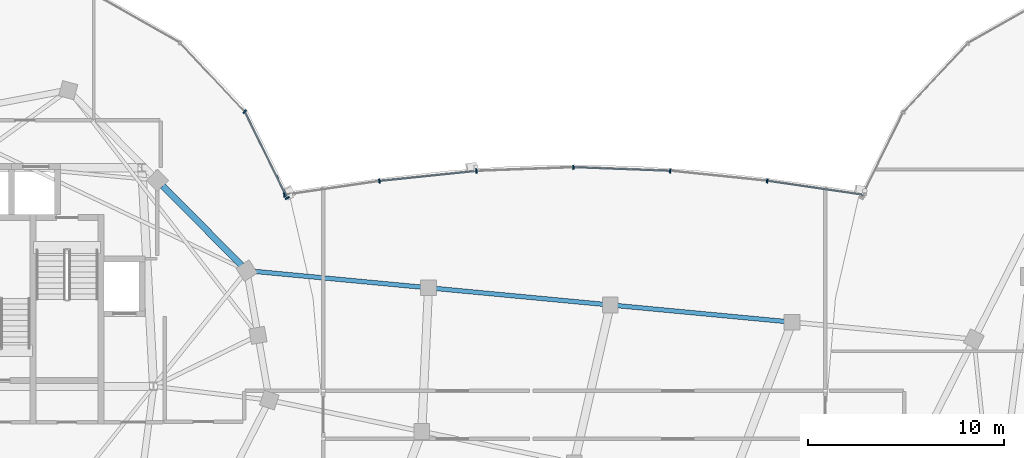
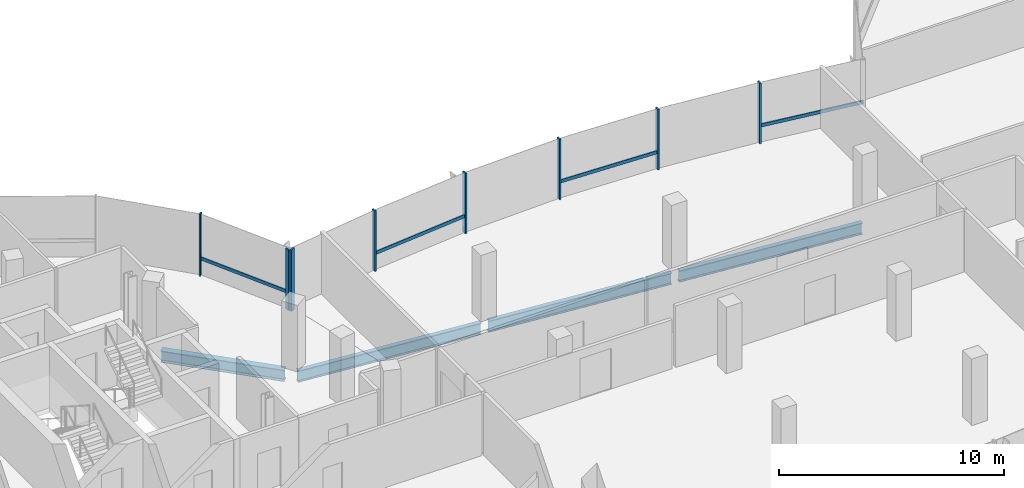
# One storey, part 7 of 26: 12 members, 4 beams, 2 elements without a shape of their own.
"""IFC4 building model written with IfcOpenShell, lengths in metres."""

from ifc_helpers import new_model, si_unit, direction, frame, origin, origin_2d, place, context, subcontext, project, spatial, rectangle, i_section, extrude, material, material_profile, profile_set, type_object, element, aggregate, save


model = new_model("IFC4")

# Units and contexts
model_context = context("Model", 3, precision=1e-05, world=origin(), true_north=direction((0.0, 1.0)))
body_context = subcontext(model_context, "Body", "Model", "MODEL_VIEW")
ifc_project = project(units=[si_unit("LENGTHUNIT", "METRE"), si_unit("AREAUNIT", "SQUARE_METRE"), si_unit("VOLUMEUNIT", "CUBIC_METRE"), si_unit("PLANEANGLEUNIT", "RADIAN"), si_unit("MASSUNIT", "GRAM", prefix="KILO"), si_unit("THERMODYNAMICTEMPERATUREUNIT", "KELVIN"), si_unit("POWERUNIT", "WATT")], contexts=[model_context])

# Site, building, storey
site_placement = place(None, origin())
site = spatial("IfcSite", under=ifc_project, at=site_placement, CompositionType="ELEMENT")
building_placement = place(site_placement, origin())
building = spatial("IfcBuilding", under=site, at=building_placement, Name="Cundina Bronze Exchange", CompositionType="ELEMENT")
storey_placement = place(building_placement, frame((0.0, 0.0, 261.199951171875)))
storey = spatial("IfcBuildingStorey", under=building, at=storey_placement, Name="L69", CompositionType="ELEMENT", Elevation=261.199951171875)

# Beams
ifc_material_1 = material(Name="Steel ASTM A992 Grade 50", Category="steel")
ifc_material_profile_1 = material_profile(ifc_material_1, i_section(OverallWidth=0.22998046875, OverallDepth=0.616943359375, WebThickness=0.01318359375, FlangeThickness=0.022216796875, FilletRadius=0.013916015625, at=origin_2d()), Name="W24X94", Category="steel")
ifc_profile_set_1 = profile_set([ifc_material_profile_1], Name="Steel ASTM A992 Grade 50")
beam_type_1 = type_object("IfcBeamType", Name="BM-FLR-W24B", PredefinedType="BEAM", material=ifc_profile_set_1)
beam_1_placement = place(storey_placement, frame((-16.520751953125, 9.783203125, -0.62841796875), z_axis=(0.995572136276, -0.094000646124, 0.0), x_axis=(0.094000646124, 0.995572136276, 0.0)))
element("IfcBeam", 1, at=beam_1_placement, inside=storey, type_object=beam_type_1, Name="L69 Sky-Gate Longitudinal Girder Y3-P1", PredefinedType="BEAM", context=body_context, shape_type="SweptSolid", body=[
    extrude(i_section(OverallWidth=0.22998046875, OverallDepth=0.616943359375, WebThickness=0.01318359375, FlangeThickness=0.022216796875, FilletRadius=0.013916015625, at=origin_2d()), origin(), (0.0, 0.0, 1.0), 8.949951171875),
])
beam_2_placement = place(storey_placement, frame((-7.251953125, 8.908203125, -0.62841796875), z_axis=(0.995571895232, -0.094003199007, 0.0), x_axis=(0.094003199007, 0.995571895232, 0.0)))
element("IfcBeam", 2, at=beam_2_placement, inside=storey, type_object=beam_type_1, Name="L69 Sky-Gate Longitudinal Girder Y3-P2", PredefinedType="BEAM", context=body_context, shape_type="SweptSolid", body=[
    extrude(i_section(OverallWidth=0.22998046875, OverallDepth=0.616943359375, WebThickness=0.01318359375, FlangeThickness=0.022216796875, FilletRadius=0.013916015625, at=origin_2d()), origin(), (0.0, 0.0, 1.0), 8.94970703125),
])
beam_3_placement = place(storey_placement, frame((2.0166015625, 8.033203125, -0.62841796875), z_axis=(0.995572136276, -0.094000646124, 0.0), x_axis=(0.094000646124, 0.995572136276, 0.0)))
element("IfcBeam", 3, at=beam_3_placement, inside=storey, type_object=beam_type_1, Name="L69 Sky-Gate Longitudinal Girder Y3-P3", PredefinedType="BEAM", context=body_context, shape_type="SweptSolid", body=[
    extrude(i_section(OverallWidth=0.22998046875, OverallDepth=0.616943359375, WebThickness=0.01318359375, FlangeThickness=0.022216796875, FilletRadius=0.013916015625, at=origin_2d()), origin(), (0.0, 0.0, 1.0), 8.949951171875),
])
ifc_material_profile_2 = material_profile(ifc_material_1, i_section(OverallWidth=0.324951171875, OverallDepth=0.615966796875, WebThickness=0.013916015625, FlangeThickness=0.021484375, FilletRadius=0.01611328125, at=origin_2d()), Name="W24X117", Category="steel")
ifc_profile_set_2 = profile_set([ifc_material_profile_2], Name="Steel ASTM A992 Grade 50")
beam_type_2 = type_object("IfcBeamType", Name="BM-RING-W24", PredefinedType="USERDEFINED", material=ifc_profile_set_2)
beam_4_placement = place(storey_placement, frame((-16.972900390625, 10.075927734375, -0.56787109375), z_axis=(-0.703237257446, 0.710955244541, 0.0), x_axis=(-0.710955244541, -0.703237257446, 0.0)))
element("IfcBeam", 4, at=beam_4_placement, inside=storey, type_object=beam_type_2, Name="L69 W Perimeter Ring Girder 02", ObjectType="GIRDER", PredefinedType="USERDEFINED", context=body_context, shape_type="SweptSolid", body=[
    extrude(i_section(OverallWidth=0.324951171875, OverallDepth=0.615966796875, WebThickness=0.013916015625, FlangeThickness=0.021484375, FilletRadius=0.01611328125, at=origin_2d()), origin(), (0.0, 0.0, 1.0), 5.69384765625),
])

# Curtain wall, members
ifc_material_2 = material(Name="Anodised Bronze Aluminium 6063-T6", Category="aluminium")
curtain_wall_type = type_object("IfcCurtainWallType", Name="CWS-SKG-BRG", PredefinedType="NOTDEFINED", material=ifc_material_2)
curtain_wall_1_placement = place(storey_placement, origin())
curtain_wall_1 = element("IfcCurtainWall", 5, at=curtain_wall_1_placement, inside=storey, type_object=curtain_wall_type, Name="L69 CW-06 Curtain Wall Run CWR-L69-W1", PredefinedType="NOTDEFINED")
ifc_material_profile_3 = material_profile(ifc_material_2, rectangle(XDim=0.074951171875, YDim=0.219970703125, at=origin_2d()), Name="AL75X220", Category="aluminium")
ifc_profile_set_3 = profile_set([ifc_material_profile_3], Name="Anodised Bronze Aluminium 6063-T6")
member_type_1 = type_object("IfcMemberType", Name="CWM-MUL-220", PredefinedType="MULLION", material=ifc_profile_set_3)
member_1_placement = place(storey_placement, frame((-14.630859375, 13.50390625, 0.0), z_axis=(0.0, 0.0, 1.0), x_axis=(-0.440566004113, 0.897720221461, 0.0)))
member_1 = element("IfcMember", 6, at=member_1_placement, type_object=member_type_1, Name="CW-06 Mullion 1", PredefinedType="MULLION", context=body_context, shape_type="SweptSolid", body=[
    extrude(rectangle(XDim=0.074951171875, YDim=0.219970703125, at=origin_2d()), origin(), (0.0, 0.0, 1.0), 3.340087890625),
])
member_2_placement = place(storey_placement, frame((-16.8037109375, 17.910400390625, 0.0), z_axis=(0.0, 0.0, 1.0), x_axis=(-0.684292606175, 0.729207535023, 0.0)))
member_2 = element("IfcMember", 7, at=member_2_placement, type_object=member_type_1, Name="CW-06 Mullion 2", PredefinedType="MULLION", context=body_context, shape_type="SweptSolid", body=[
    extrude(rectangle(XDim=0.074951171875, YDim=0.219970703125, at=origin_2d()), origin(), (0.0, 0.0, 1.0), 3.340087890625),
])

curtain_wall_2_placement = place(storey_placement, origin())
curtain_wall_2 = element("IfcCurtainWall", 8, at=curtain_wall_2_placement, inside=storey, type_object=curtain_wall_type, Name="L69 CW-06 Curtain Wall Run CWR-L69-BRGN", PredefinedType="NOTDEFINED")
member_3_placement = place(storey_placement, frame((9.83447265625, 14.378173828125, 0.0), z_axis=(0.0, 0.0, 1.0), x_axis=(-0.994666875153, 0.103139747302, 0.0)))
member_3 = element("IfcMember", 9, at=member_3_placement, type_object=member_type_1, Name="CW-06 Mullion 2", PredefinedType="MULLION", context=body_context, shape_type="SweptSolid", body=[
    extrude(rectangle(XDim=0.074951171875, YDim=0.219970703125, at=origin_2d()), origin(), (0.0, 0.0, 1.0), 3.280029296875),
])
member_4_placement = place(storey_placement, frame((4.892578125, 14.88720703125, 0.0), z_axis=(0.0, 0.0, 1.0), x_axis=(-0.999302568116, 0.037341362551, 0.0)))
member_4 = element("IfcMember", 10, at=member_4_placement, type_object=member_type_1, Name="CW-06 Mullion 3", PredefinedType="MULLION", context=body_context, shape_type="SweptSolid", body=[
    extrude(rectangle(XDim=0.074951171875, YDim=0.219970703125, at=origin_2d()), origin(), (0.0, 0.0, 1.0), 3.280029296875),
])
member_5_placement = place(storey_placement, frame((-0.047607421875, 15.068115234375, 0.0), z_axis=(0.0, 0.0, 1.0), x_axis=(-0.999302568116, -0.037341362551, 0.0)))
member_5 = element("IfcMember", 11, at=member_5_placement, type_object=member_type_1, Name="CW-06 Mullion 4", PredefinedType="MULLION", context=body_context, shape_type="SweptSolid", body=[
    extrude(rectangle(XDim=0.074951171875, YDim=0.219970703125, at=origin_2d()), origin(), (0.0, 0.0, 1.0), 3.280029296875),
])
member_6_placement = place(storey_placement, frame((-4.98876953125, 14.88037109375, 0.0), z_axis=(0.0, 0.0, 1.0), x_axis=(-0.994666875153, -0.103139747302, 0.0)))
member_6 = element("IfcMember", 12, at=member_6_placement, type_object=member_type_1, Name="CW-06 Mullion 5", PredefinedType="MULLION", context=body_context, shape_type="SweptSolid", body=[
    extrude(rectangle(XDim=0.074951171875, YDim=0.219970703125, at=origin_2d()), origin(), (0.0, 0.0, 1.0), 3.280029296875),
])
member_7_placement = place(storey_placement, frame((-9.93310546875, 14.36572265625, 0.0), z_axis=(0.0, 0.0, 1.0), x_axis=(-0.989525789069, -0.144356201001, 0.0)))
member_7 = element("IfcMember", 13, at=member_7_placement, type_object=member_type_1, Name="CW-06 Mullion 6", PredefinedType="MULLION", context=body_context, shape_type="SweptSolid", body=[
    extrude(rectangle(XDim=0.074951171875, YDim=0.219970703125, at=origin_2d()), origin(), (0.0, 0.0, 1.0), 3.280029296875),
])
member_8_placement = place(storey_placement, frame((-14.779296875, 13.658935546875, 0.0), z_axis=(0.0, 0.0, 1.0), x_axis=(-0.989525789069, -0.144356201001, 0.0)))
member_8 = element("IfcMember", 14, at=member_8_placement, type_object=member_type_1, Name="CW-06 End Mullion", PredefinedType="MULLION", context=body_context, shape_type="SweptSolid", body=[
    extrude(rectangle(XDim=0.074951171875, YDim=0.219970703125, at=origin_2d()), origin(), (0.0, 0.0, 1.0), 3.280029296875),
])

# Member
ifc_material_profile_4 = material_profile(ifc_material_2, rectangle(XDim=0.070068359375, YDim=0.179931640625, at=origin_2d()), Name="AL70X180", Category="aluminium")
ifc_profile_set_4 = profile_set([ifc_material_profile_4], Name="Anodised Bronze Aluminium 6063-T6")
member_type_2 = type_object("IfcMemberType", Name="CWM-TRN-180", PredefinedType="USERDEFINED", material=ifc_profile_set_4)
member_9_placement = place(storey_placement, frame((-14.64892578125, 13.541015625, 0.920166015625), z_axis=(-0.440554408939, 0.897725911826, 0.0), x_axis=(-0.897725911826, -0.440554408939, 0.0)))
member_9 = element("IfcMember", 15, at=member_9_placement, type_object=member_type_2, Name="CW-06 Spandrel Transom 1", ObjectType="TRANSOM", PredefinedType="USERDEFINED", context=body_context, shape_type="SweptSolid", body=[
    extrude(rectangle(XDim=0.070068359375, YDim=0.179931640625, at=origin_2d()), origin(), (0.0, 0.0, 1.0), 4.848388671875),
])

aggregate(curtain_wall_1, [member_1, member_9, member_2])

member_10_placement = place(storey_placement, frame((14.738525390625, 13.664794921875, 0.91845703125), z_axis=(-0.989531497997, 0.144317062302, 0.0), x_axis=(-0.144317062302, -0.989531497997, 0.0)))
member_10 = element("IfcMember", 16, at=member_10_placement, type_object=member_type_2, Name="CW-06 Spandrel Transom 1", ObjectType="TRANSOM", PredefinedType="USERDEFINED", context=body_context, shape_type="SweptSolid", body=[
    extrude(rectangle(XDim=0.070068359375, YDim=0.179931640625, at=origin_2d()), origin(), (0.0, 0.0, 1.0), 4.8974609375),
])

member_11_placement = place(storey_placement, frame((4.8515625, 14.888671875, 0.91845703125), z_axis=(-0.999303683555, 0.037311500026, 0.0), x_axis=(-0.037311500026, -0.999303683555, 0.0)))
member_11 = element("IfcMember", 17, at=member_11_placement, type_object=member_type_2, Name="CW-06 Spandrel Transom 3", ObjectType="TRANSOM", PredefinedType="USERDEFINED", context=body_context, shape_type="SweptSolid", body=[
    extrude(rectangle(XDim=0.070068359375, YDim=0.179931640625, at=origin_2d()), origin(), (0.0, 0.0, 1.0), 4.8486328125),
])

member_12_placement = place(storey_placement, frame((-5.02978515625, 14.8759765625, 0.91845703125), z_axis=(-0.994672497027, -0.103085516243, 0.0), x_axis=(0.103085516243, -0.994672497027, 0.0)))
member_12 = element("IfcMember", 18, at=member_12_placement, type_object=member_type_2, Name="CW-06 Spandrel Transom 5", ObjectType="TRANSOM", PredefinedType="USERDEFINED", context=body_context, shape_type="SweptSolid", body=[
    extrude(rectangle(XDim=0.070068359375, YDim=0.179931640625, at=origin_2d()), origin(), (0.0, 0.0, 1.0), 4.87158203125),
])

aggregate(curtain_wall_2, [member_10, member_3, member_4, member_11, member_5, member_6, member_12, member_7, member_8])

save(model, "model.ifc")
